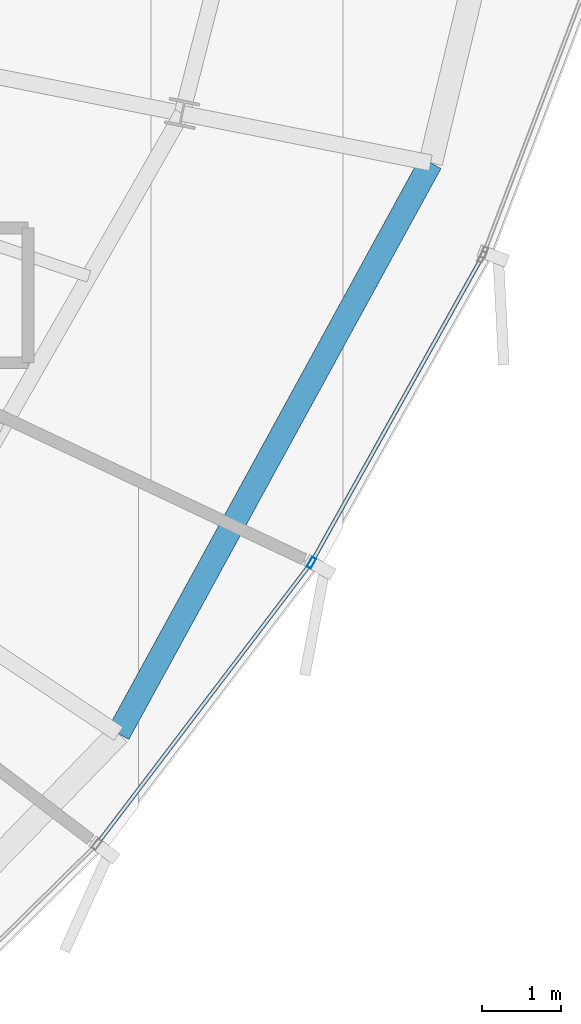
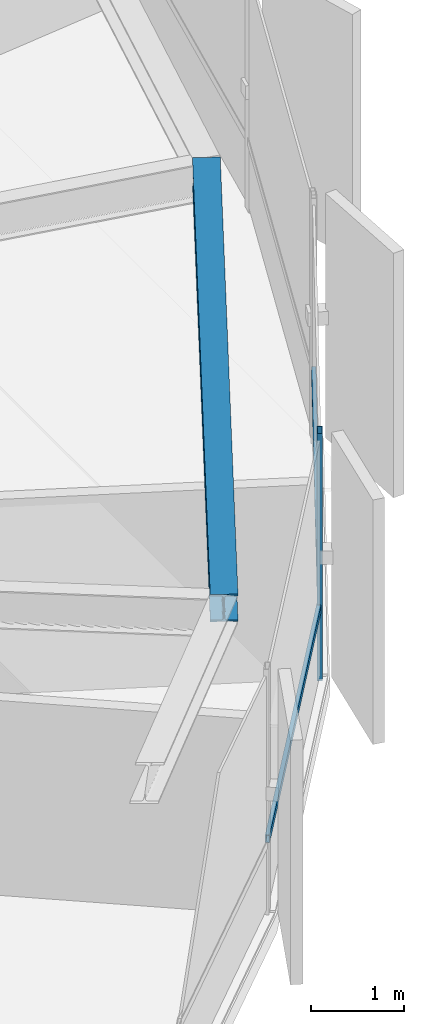
# One storey, part 16 of 36: 3 members, 1 beam, 1 element without a shape of its own.
"""IFC4 building model written with IfcOpenShell, lengths in metres."""

from ifc_helpers import new_model, si_unit, direction, frame, origin, origin_2d, place, context, subcontext, project, spatial, hollow_rectangle, i_section, extrude, source, transform, mapped, material, layer, layer_set, material_profile, profile_set, type_object, element, aggregate, save


model = new_model("IFC4")

# Units and contexts
model_context = context("Model", 3, precision=1e-05, world=origin(), true_north=direction((0.0, 1.0)))
body_context = subcontext(model_context, "Body", "Model", "MODEL_VIEW")
ifc_project = project(units=[si_unit("LENGTHUNIT", "METRE"), si_unit("AREAUNIT", "SQUARE_METRE"), si_unit("VOLUMEUNIT", "CUBIC_METRE"), si_unit("PLANEANGLEUNIT", "RADIAN"), si_unit("MASSUNIT", "GRAM", prefix="KILO"), si_unit("THERMODYNAMICTEMPERATUREUNIT", "KELVIN")], contexts=[model_context])

# Site, building, storey
site_placement = place(None, origin())
site = spatial("IfcSite", under=ifc_project, at=site_placement, CompositionType="ELEMENT")
building_placement = place(site_placement, origin())
building = spatial("IfcBuilding", under=site, at=building_placement, Name="Kethvar Cultural Tower", CompositionType="ELEMENT")
storey_placement = place(building_placement, frame((0.0, 0.0, 197.39990234375)))
storey = spatial("IfcBuildingStorey", under=building, at=storey_placement, Name="L51", CompositionType="ELEMENT", Elevation=197.39990234375)

# Beam
ifc_material_1 = material(Name="Steel S355J2", Category="steel")
ifc_material_profile_1 = material_profile(ifc_material_1, i_section(OverallWidth=0.300048828125, OverallDepth=0.360107421875, WebThickness=0.012451171875, FlangeThickness=0.0224609375, FilletRadius=0.027099609375, at=origin_2d()), Name="Steel S355J2 — HEB360")
ifc_profile_set_1 = profile_set([ifc_material_profile_1], Name="Steel S355J2 — HEB360")
beam_type = type_object("IfcBeamType", Name="BM-SP360", PredefinedType="SPANDREL", material=ifc_profile_set_1)
shared_shape_1 = source(origin(), body_context, "Body", "SweptSolid", [
    extrude(i_section(OverallWidth=0.300048828125, OverallDepth=0.360107421875, WebThickness=0.012451171875, FlangeThickness=0.0224609375, FilletRadius=0.027099609375, at=origin_2d()), origin(), (0.0, 0.0, 1.0), 8.22119140625),
])
beam_placement = place(storey_placement, frame((63.84326171875, 16.412109375, 3.078125), z_axis=(0.479721613821, 0.8774207504, 0.0), x_axis=(-0.8774207504, 0.479721613821, 0.0)))
element("IfcBeam", 1, at=beam_placement, inside=storey, type_object=beam_type, Name="L51 Perimeter Spandrel Beam SP-15", PredefinedType="SPANDREL", context=body_context, shape_type="MappedRepresentation", body=[
    mapped(shared_shape_1, transform((0.0, 0.0, 0.0), scale=1.0)),
])

# Curtain wall, members
ifc_material_2 = material(Name="Aluminium 6063-T6", Category="aluminium")
ifc_layer = layer(ifc_material_2, 0.179931640625, Name="Aluminium 6063-T6", Category="aluminium")
ifc_layer_set = layer_set([ifc_layer], Name="Aluminium 6063-T6 (180 mm)")
curtain_wall_type = type_object("IfcCurtainWallType", Name="CW-SYS-04-Z34", PredefinedType="NOTDEFINED", material=ifc_layer_set)
curtain_wall_placement = place(storey_placement, origin())
curtain_wall = element("IfcCurtainWall", 2, at=curtain_wall_placement, inside=storey, type_object=curtain_wall_type, Name="L51 Curtain Wall Run 05", PredefinedType="NOTDEFINED")
ifc_material_profile_2 = material_profile(ifc_material_2, hollow_rectangle(XDim=0.06005859375, YDim=0.139892578125, WallThickness=0.0048828125, at=origin_2d()), Name="Aluminium 6063-T6 — RHS140x60x5")
ifc_profile_set_2 = profile_set([ifc_material_profile_2], Name="Aluminium 6063-T6 — RHS140x60x5")
member_type_1 = type_object("IfcMemberType", Name="CW-SYS-04-Z34-MUL", PredefinedType="MULLION", material=ifc_profile_set_2)
shared_shape_2 = source(origin(), body_context, "Body", "SweptSolid", [
    extrude(hollow_rectangle(XDim=0.06005859375, YDim=0.139892578125, WallThickness=0.0048828125, at=origin_2d()), origin(), (0.0, 0.0, 1.0), 3.260009765625),
])
member_1_placement = place(storey_placement, frame((66.28173828125, 18.57373046875, 0.0), z_axis=(0.0, 0.0, 1.0), x_axis=(-0.873117846351, 0.48750920646, 0.0)))
member_1 = element("IfcMember", 3, at=member_1_placement, type_object=member_type_1, Name="CW-L51-R05 Mullion 6", PredefinedType="MULLION", context=body_context, shape_type="MappedRepresentation", body=[
    mapped(shared_shape_2, transform((0.0, 0.0, 0.0), scale=1.0)),
])
ifc_material_profile_3 = material_profile(ifc_material_2, hollow_rectangle(XDim=0.050048828125, YDim=0.10009765625, WallThickness=0.00390625, at=origin_2d()), Name="Aluminium 6063-T6 — RHS100x50x4")
ifc_profile_set_3 = profile_set([ifc_material_profile_3], Name="Aluminium 6063-T6 — RHS100x50x4")
member_type_2 = type_object("IfcMemberType", Name="CW-SYS-04-Z34-TRN", PredefinedType="USERDEFINED", material=ifc_profile_set_3)
shared_shape_3 = source(origin(), body_context, "Body", "SweptSolid", [
    extrude(hollow_rectangle(XDim=0.050048828125, YDim=0.10009765625, WallThickness=0.00390625, at=origin_2d()), origin(), (0.0, 0.0, 1.0), 4.3759765625),
])
member_2_placement = place(storey_placement, frame((66.302734375, 18.611572265625, 0.9501953125), z_axis=(0.487498716838, 0.873123703195, 0.0), x_axis=(-0.873123703195, 0.487498716838, 0.0)))
member_2 = element("IfcMember", 4, at=member_2_placement, type_object=member_type_2, Name="CW-L51-R05 Transom 6", ObjectType="TRANSOM", PredefinedType="USERDEFINED", context=body_context, shape_type="MappedRepresentation", body=[
    mapped(shared_shape_3, transform((0.0, 0.0, 0.0), scale=1.0)),
])
shared_shape_4 = source(origin(), body_context, "Body", "SweptSolid", [
    extrude(hollow_rectangle(XDim=0.050048828125, YDim=0.10009765625, WallThickness=0.00390625, at=origin_2d()), origin(), (0.0, 0.0, 1.0), 4.4033203125),
])
member_3_placement = place(storey_placement, frame((63.595947265625, 15.04931640625, 0.9501953125), z_axis=(0.605882839377, 0.795553885635, 0.0), x_axis=(-0.795553885635, 0.605882839377, 0.0)))
member_3 = element("IfcMember", 5, at=member_3_placement, type_object=member_type_2, Name="CW-L51-R05 Transom 5", ObjectType="TRANSOM", PredefinedType="USERDEFINED", context=body_context, shape_type="MappedRepresentation", body=[
    mapped(shared_shape_4, transform((0.0, 0.0, 0.0), scale=1.0)),
])
aggregate(curtain_wall, [member_1, member_3, member_2])

save(model, "model.ifc")
